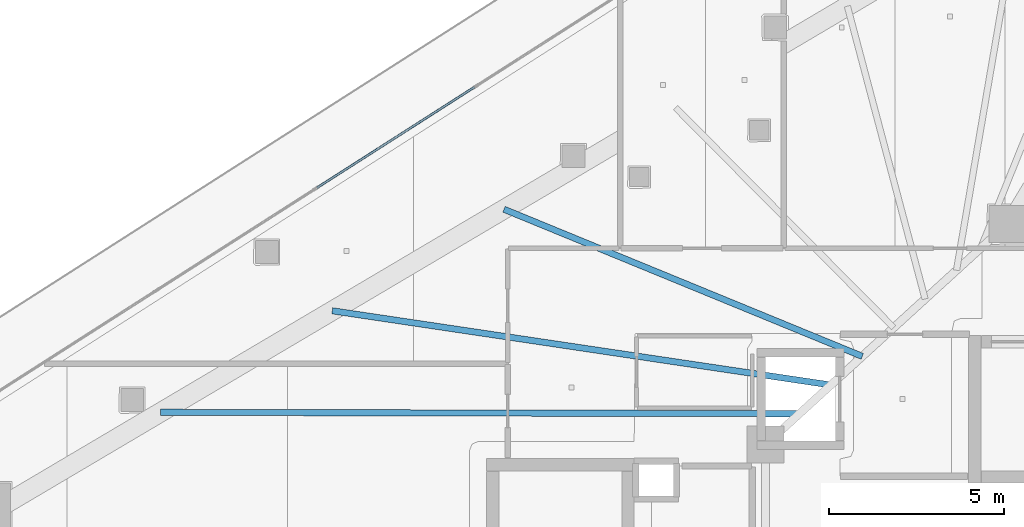
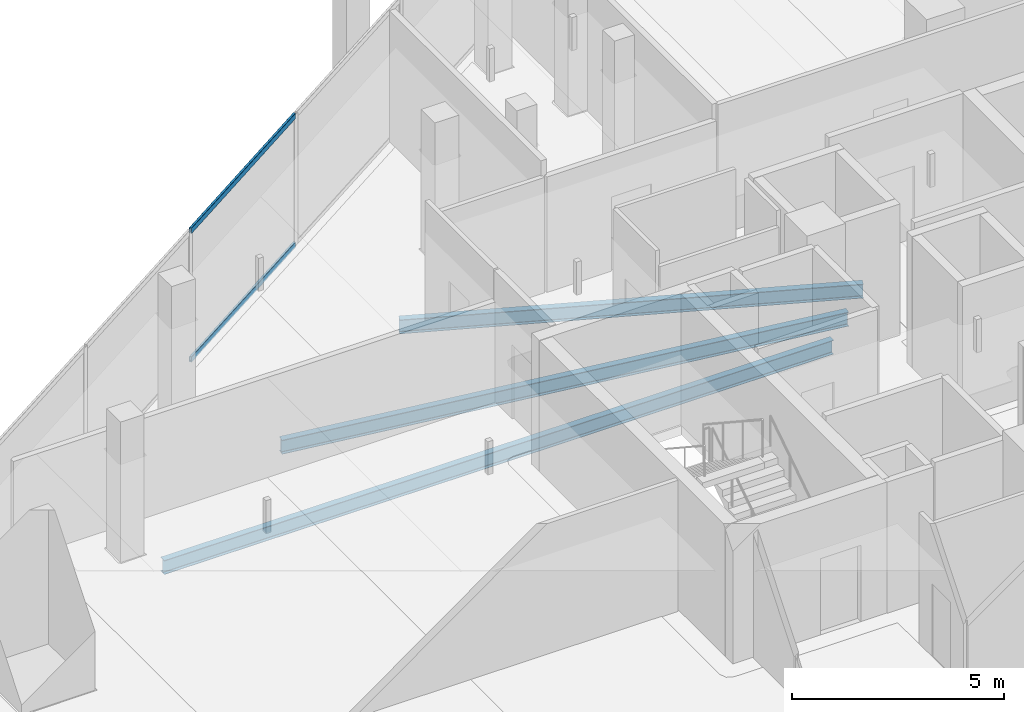
# One storey, part 14 of 38: 3 beams, 2 members, 1 element without a shape of its own.
"""IFC4 building model written with IfcOpenShell, lengths in metres."""

from ifc_helpers import new_model, si_unit, direction, frame, origin, origin_2d, place, context, subcontext, project, spatial, hollow_rectangle, i_section, extrude, material, layer, layer_set, material_profile, profile_set, type_object, element, aggregate, save


model = new_model("IFC4")

# Units and contexts
model_context = context("Model", 3, precision=1e-05, world=origin(), true_north=direction((0.0, 1.0)))
body_context = subcontext(model_context, "Body", "Model", "MODEL_VIEW")
ifc_project = project(units=[si_unit("LENGTHUNIT", "METRE"), si_unit("AREAUNIT", "SQUARE_METRE"), si_unit("VOLUMEUNIT", "CUBIC_METRE"), si_unit("PLANEANGLEUNIT", "RADIAN"), si_unit("MASSUNIT", "GRAM", prefix="KILO")], contexts=[model_context])

# Site, building, storey
site_placement = place(None, origin())
site = spatial("IfcSite", under=ifc_project, at=site_placement, CompositionType="ELEMENT")
building_placement = place(site_placement, origin())
building = spatial("IfcBuilding", under=site, at=building_placement, Name="Qorvath Tower", CompositionType="ELEMENT")
storey_placement = place(building_placement, frame((0.0, 0.0, 146.25)))
storey = spatial("IfcBuildingStorey", under=building, at=storey_placement, Name="L33", CompositionType="ELEMENT", Elevation=146.25)

# Beams
ifc_material_1 = material(Name="Steel ASTM A992 Grade 50", Category="steel")
ifc_material_profile_1 = material_profile(ifc_material_1, i_section(OverallWidth=0.177978515625, OverallDepth=0.406005859375, WebThickness=0.0078125, FlangeThickness=0.0126953125, FilletRadius=0.010986328125, at=origin_2d()), Name="W16x40")
ifc_profile_set_1 = profile_set([ifc_material_profile_1], Name="Steel ASTM A992 Grade 50")
beam_type = type_object("IfcBeamType", Name="BM-FJ3", PredefinedType="JOIST", material=ifc_profile_set_1)
beam_1_placement = place(storey_placement, frame((-29.533935546875, 6.031982421875, -0.472900390625), z_axis=(-0.999997589883, 0.002195501951, 0.0), x_axis=(-0.002195501951, -0.999997589883, 0.0)))
element("IfcBeam", 1, at=beam_1_placement, inside=storey, type_object=beam_type, Name="Composite Floor Joist NW1 L33", PredefinedType="JOIST", context=body_context, shape_type="SweptSolid", body=[
    extrude(i_section(OverallWidth=0.177978515625, OverallDepth=0.406005859375, WebThickness=0.0078125, FlangeThickness=0.0126953125, FilletRadius=0.010986328125, at=origin_2d()), origin(), (0.0, 0.0, 1.0), 18.23681640625),
])
beam_2_placement = place(storey_placement, frame((-28.636962890625, 6.85107421875, -0.472900390625), z_axis=(-0.989092860328, 0.147293291256, 0.0), x_axis=(-0.147293291256, -0.989092860328, 0.0)))
element("IfcBeam", 2, at=beam_2_placement, inside=storey, type_object=beam_type, Name="Composite Floor Joist NW2 L33", PredefinedType="JOIST", context=body_context, shape_type="SweptSolid", body=[
    extrude(i_section(OverallWidth=0.177978515625, OverallDepth=0.406005859375, WebThickness=0.0078125, FlangeThickness=0.0126953125, FilletRadius=0.010986328125, at=origin_2d()), origin(), (0.0, 0.0, 1.0), 14.388916015625),
])
beam_3_placement = place(storey_placement, frame((-27.739990234375, 7.669921875, -0.472900390625), z_axis=(-0.925068176006, 0.379801092338, 0.0), x_axis=(-0.379801092338, -0.925068176006, 0.0)))
element("IfcBeam", 3, at=beam_3_placement, inside=storey, type_object=beam_type, Name="Composite Floor Joist NW3 L33", PredefinedType="JOIST", context=body_context, shape_type="SweptSolid", body=[
    extrude(i_section(OverallWidth=0.177978515625, OverallDepth=0.406005859375, WebThickness=0.0078125, FlangeThickness=0.0126953125, FilletRadius=0.010986328125, at=origin_2d()), origin(), (0.0, 0.0, 1.0), 11.0556640625),
])

# Curtain wall, members
ifc_material_2 = material(Name="Anodised aluminium and triple low-E glass", Category="aluminium")
ifc_layer = layer(ifc_material_2, 0.179931640625)
ifc_layer_set = layer_set([ifc_layer], Name="CW-SYS-3")
curtain_wall_type = type_object("IfcCurtainWallType", Name="CW-SYS-3", PredefinedType="NOTDEFINED", material=ifc_layer_set)
curtain_wall_placement = place(storey_placement, origin())
curtain_wall = element("IfcCurtainWall", 4, at=curtain_wall_placement, inside=storey, type_object=curtain_wall_type, Name="Curtain Wall CW-3 CW-T-L33-16.1", PredefinedType="NOTDEFINED")
ifc_material_3 = material(Name="Anodised aluminium 6063-T6", Category="aluminium")
ifc_material_profile_2 = material_profile(ifc_material_3, hollow_rectangle(XDim=0.06494140625, YDim=0.159912109375, WallThickness=0.00341796875, InnerFilletRadius=0.00341796875, OuterFilletRadius=0.007080078125, at=origin_2d()), Name="CWT 160x65")
ifc_profile_set_2 = profile_set([ifc_material_profile_2], Name="Anodised aluminium 6063-T6")
member_type = type_object("IfcMemberType", Name="CWT-160", PredefinedType="USERDEFINED", material=ifc_profile_set_2)
member_1_placement = place(storey_placement, frame((-38.809326171875, 15.356201171875, 0.032470703125), z_axis=(-0.84259533126, -0.5385472196, 0.0), x_axis=(0.5385472196, -0.84259533126, 0.0)))
member_1 = element("IfcMember", 5, at=member_1_placement, type_object=member_type, Name="CW-3 transom 6.1", ObjectType="TRANSOM", PredefinedType="USERDEFINED", context=body_context, shape_type="SweptSolid", body=[
    extrude(hollow_rectangle(XDim=0.06494140625, YDim=0.159912109375, WallThickness=0.00341796875, InnerFilletRadius=0.00341796875, OuterFilletRadius=0.007080078125, at=origin_2d()), origin(), (0.0, 0.0, 1.0), 5.335693359375),
])
member_2_placement = place(storey_placement, frame((-38.809326171875, 15.356201171875, 3.74755859375), z_axis=(-0.84259533126, -0.5385472196, 0.0), x_axis=(0.5385472196, -0.84259533126, 0.0)))
member_2 = element("IfcMember", 6, at=member_2_placement, type_object=member_type, Name="CW-3 transom 6.2", ObjectType="TRANSOM", PredefinedType="USERDEFINED", context=body_context, shape_type="SweptSolid", body=[
    extrude(hollow_rectangle(XDim=0.06494140625, YDim=0.159912109375, WallThickness=0.00341796875, InnerFilletRadius=0.00341796875, OuterFilletRadius=0.007080078125, at=origin_2d()), origin(), (0.0, 0.0, 1.0), 5.335693359375),
])
aggregate(curtain_wall, [member_1, member_2])

save(model, "model.ifc")
